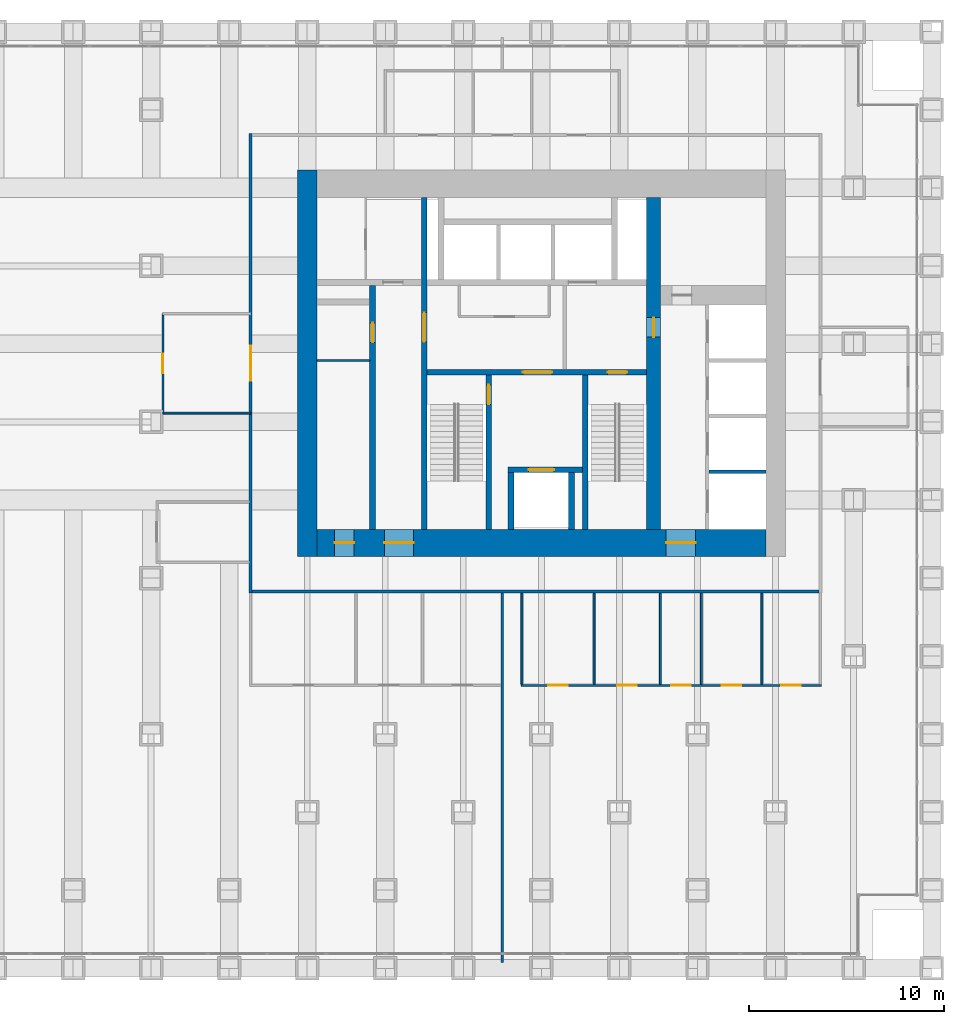
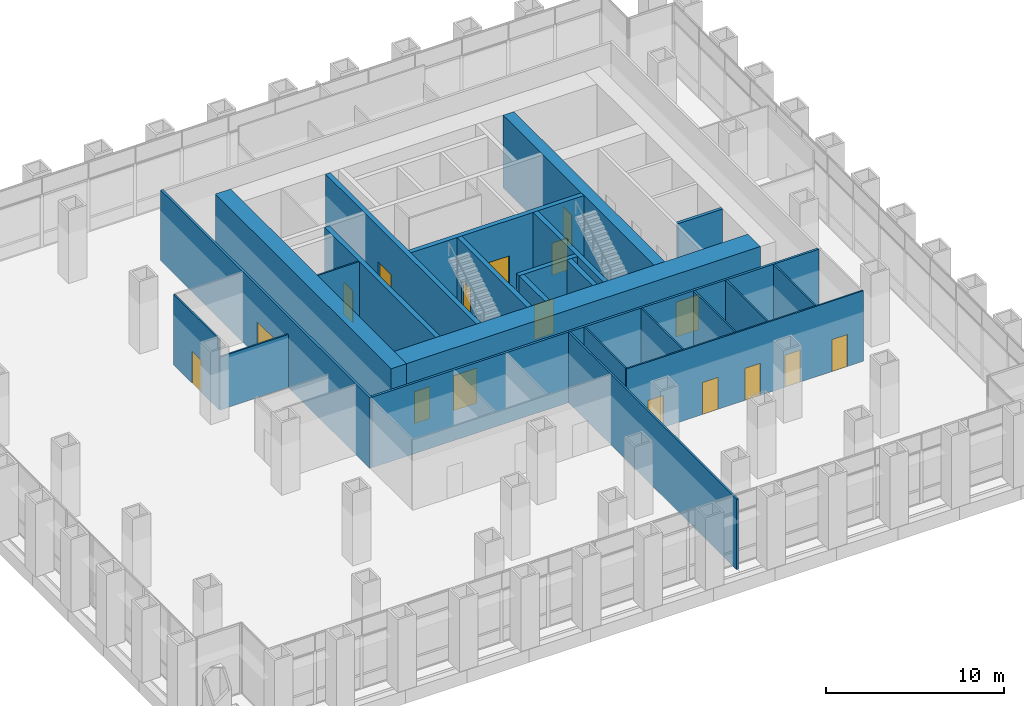
# One storey, part 15 of 18: 24 walls, 17 doors, 17 openings.
"""IFC4 building model written with IfcOpenShell, lengths in metres."""

from ifc_helpers import new_model, si_unit, direction, frame, frame_2d, origin, place, context, subcontext, project, spatial, rectangle, extrude, material, layer, layer_set, type_object, element, fill, save


model = new_model("IFC4")

# Units and contexts
model_context = context("Model", 3, precision=1e-05, world=origin(), true_north=direction((0.0, 1.0)))
body_context = subcontext(model_context, "Body", "Model", "MODEL_VIEW")
ifc_project = project(units=[si_unit("LENGTHUNIT", "METRE"), si_unit("AREAUNIT", "SQUARE_METRE"), si_unit("VOLUMEUNIT", "CUBIC_METRE"), si_unit("PLANEANGLEUNIT", "RADIAN"), si_unit("MASSUNIT", "GRAM", prefix="KILO")], contexts=[model_context])

# Site, building, storey
site_placement = place(None, origin())
site = spatial("IfcSite", under=ifc_project, at=site_placement, CompositionType="ELEMENT")
building_placement = place(site_placement, origin())
building = spatial("IfcBuilding", under=site, at=building_placement, Name="Rimbunsela Tower", CompositionType="ELEMENT")
storey_placement = place(building_placement, frame((0.0, 0.0, 6.0)))
storey = spatial("IfcBuildingStorey", under=building, at=storey_placement, Name="L01", CompositionType="ELEMENT", Elevation=6.0)

# Wall, opening, door
ifc_material_1 = material(Name="Concrete fc' 80 MPa", Category="concrete")
ifc_layer_1 = layer(ifc_material_1, 0.300048828125)
ifc_layer_set_1 = layer_set([ifc_layer_1], Name="Core internal wall 300")
wall_type_1 = type_object("IfcWallType", Name="Core internal wall 300", PredefinedType="SHEAR", material=ifc_layer_set_1)
wall_1_placement = place(storey_placement, frame((24.0, 18.5, -0.14990234375), z_axis=(0.0, 0.0, 1.0), x_axis=(0.0, 1.0, 0.0)))
wall_1 = element("IfcWall", 1, at=wall_1_placement, inside=storey, type_object=wall_type_1, Name="Core wall at stair A", PredefinedType="SHEAR", context=body_context, shape_type="SweptSolid", body=[
    extrude(rectangle(XDim=17.0, YDim=0.300048828125, at=frame_2d((8.5, 0.0))), origin(), (0.0, 0.0, 1.0), 5.0),
])
opening_1_placement = place(wall_1_placement, frame((9.60009765625, 0.0, 0.14990234375)))
opening_1 = element("IfcOpeningElement", 2, at=opening_1_placement, cuts=wall_1, Name="Opening D03", PredefinedType="OPENING", context=body_context, shape_type="SweptSolid", body=[
    extrude(rectangle(XDim=1.5, YDim=2.39990234375, at=frame_2d((0.75, 1.199951171875))), frame((0.0, 0.159912109375, 0.0), z_axis=(0.0, -1.0, 0.0), x_axis=(1.0, 0.0, 0.0)), (0.0, 0.0, 1.0), 0.320068359375),
])
ifc_material_2 = material(Name="Steel door, fire rated", Category="steel")
door_type_1 = type_object("IfcDoorType", Name="Core lobby door 1500", OperationType="DOUBLE_DOOR_DOUBLE_SWING", PredefinedType="DOOR", material=ifc_material_2)
door_1_placement = place(opening_1_placement, origin())
door_1 = element("IfcDoor", 3, at=door_1_placement, inside=storey, type_object=door_type_1, Name="West lobby door", OperationType="DOUBLE_DOOR_DOUBLE_SWING", OverallHeight=2.39990234375, OverallWidth=1.5, PredefinedType="DOOR", context=body_context, shape_type="SweptSolid", body=[
    extrude(rectangle(XDim=1.5, YDim=2.39990234375, at=frame_2d((0.75, 1.199951171875))), frame((0.0, 0.02490234375, 0.0), z_axis=(0.0, -1.0, 0.0), x_axis=(1.0, 0.0, 0.0)), (0.0, 0.0, 1.0), 0.050048828125),
])
fill(opening_1, door_1)

# Wall, openings, doors
wall_2_placement = place(storey_placement, frame((24.14990234375, 26.550048828125, -0.14990234375), z_axis=(0.0, 0.0, 1.0), x_axis=(1.0, 0.0, 0.0)))
wall_2 = element("IfcWall", 4, at=wall_2_placement, inside=storey, type_object=wall_type_1, Name="Core wall lobby south", PredefinedType="SHEAR", context=body_context, shape_type="SweptSolid", body=[
    extrude(rectangle(XDim=11.25, YDim=0.300048828125, at=frame_2d((5.625, 0.0))), origin(), (0.0, 0.0, 1.0), 5.0),
])
opening_2_placement = place(wall_2_placement, frame((9.25, 0.0, 0.14990234375)))
opening_2 = element("IfcOpeningElement", 5, at=opening_2_placement, cuts=wall_2, Name="Opening D01", PredefinedType="OPENING", context=body_context, shape_type="SweptSolid", body=[
    extrude(rectangle(XDim=1.0, YDim=2.199951171875, at=frame_2d((0.5, 1.10009765625))), frame((0.0, 0.159912109375, 0.0), z_axis=(0.0, -1.0, 0.0), x_axis=(1.0, 0.0, 0.0)), (0.0, 0.0, 1.0), 0.320068359375),
])
opening_3_placement = place(wall_2_placement, frame((4.89990234375, 0.0, 0.14990234375)))
opening_3 = element("IfcOpeningElement", 6, at=opening_3_placement, cuts=wall_2, Name="Opening D03", PredefinedType="OPENING", context=body_context, shape_type="SweptSolid", body=[
    extrude(rectangle(XDim=1.5, YDim=2.39990234375, at=frame_2d((0.75, 1.199951171875))), frame((0.0, 0.159912109375, 0.0), z_axis=(0.0, -1.0, 0.0), x_axis=(1.0, 0.0, 0.0)), (0.0, 0.0, 1.0), 0.320068359375),
])
door_2_placement = place(opening_3_placement, origin())
door_2 = element("IfcDoor", 7, at=door_2_placement, inside=storey, type_object=door_type_1, Name="Firefighting lobby door", OperationType="DOUBLE_DOOR_DOUBLE_SWING", OverallHeight=2.39990234375, OverallWidth=1.5, PredefinedType="DOOR", context=body_context, shape_type="SweptSolid", body=[
    extrude(rectangle(XDim=1.5, YDim=2.39990234375, at=frame_2d((0.75, 1.199951171875))), frame((0.0, 0.02490234375, 0.0), z_axis=(0.0, -1.0, 0.0), x_axis=(1.0, 0.0, 0.0)), (0.0, 0.0, 1.0), 0.050048828125),
])
fill(opening_3, door_2)
ifc_material_3 = material(Name="Steel door, fire rated", Category="steel")
door_type_2 = type_object("IfcDoorType", Name="Stair door 1000", OperationType="SINGLE_SWING_RIGHT", PredefinedType="DOOR", material=ifc_material_3)
door_3_placement = place(opening_2_placement, frame((1.0, 0.0, 0.0), z_axis=(0.0, 0.0, 1.0), x_axis=(-1.0, 0.0, 0.0)))
door_3 = element("IfcDoor", 8, at=door_3_placement, inside=storey, type_object=door_type_2, Name="Stair B door", OperationType="SINGLE_SWING_RIGHT", OverallHeight=2.199951171875, OverallWidth=1.0, PredefinedType="DOOR", context=body_context, shape_type="SweptSolid", body=[
    extrude(rectangle(XDim=1.0, YDim=2.199951171875, at=frame_2d((0.5, 1.10009765625))), frame((0.0, 0.02490234375, 0.0), z_axis=(0.0, -1.0, 0.0), x_axis=(1.0, 0.0, 0.0)), (0.0, 0.0, 1.0), 0.050048828125),
])
fill(opening_2, door_3)

# Wall, opening, door
wall_3_placement = place(storey_placement, frame((27.300048828125, 18.5, -0.14990234375), z_axis=(0.0, 0.0, 1.0), x_axis=(0.0, 1.0, 0.0)))
wall_3 = element("IfcWall", 9, at=wall_3_placement, inside=storey, type_object=wall_type_1, Name="Stair A enclosure", PredefinedType="SHEAR", context=body_context, shape_type="SweptSolid", body=[
    extrude(rectangle(XDim=7.89990234375, YDim=0.300048828125, at=frame_2d((3.949951171875, 0.0))), origin(), (0.0, 0.0, 1.0), 5.0),
])
opening_4_placement = place(wall_3_placement, frame((6.39990234375, 0.0, 0.14990234375)))
opening_4 = element("IfcOpeningElement", 10, at=opening_4_placement, cuts=wall_3, Name="Opening D01", PredefinedType="OPENING", context=body_context, shape_type="SweptSolid", body=[
    extrude(rectangle(XDim=1.0, YDim=2.199951171875, at=frame_2d((0.5, 1.10009765625))), frame((0.0, 0.159912109375, 0.0), z_axis=(0.0, -1.0, 0.0), x_axis=(1.0, 0.0, 0.0)), (0.0, 0.0, 1.0), 0.320068359375),
])
door_4_placement = place(opening_4_placement, origin())
door_4 = element("IfcDoor", 11, at=door_4_placement, inside=storey, type_object=door_type_2, Name="Stair A door", OperationType="SINGLE_SWING_RIGHT", OverallHeight=2.199951171875, OverallWidth=1.0, PredefinedType="DOOR", context=body_context, shape_type="SweptSolid", body=[
    extrude(rectangle(XDim=1.0, YDim=2.199951171875, at=frame_2d((0.5, 1.10009765625))), frame((0.0, 0.02490234375, 0.0), z_axis=(0.0, -1.0, 0.0), x_axis=(1.0, 0.0, 0.0)), (0.0, 0.0, 1.0), 0.050048828125),
])
fill(opening_4, door_4)

# Walls
wall_4_placement = place(storey_placement, frame((32.25, 18.5, -0.14990234375), z_axis=(0.0, 0.0, 1.0), x_axis=(0.0, 1.0, 0.0)))
element("IfcWall", 12, at=wall_4_placement, inside=storey, type_object=wall_type_1, Name="Stair B enclosure", PredefinedType="SHEAR", context=body_context, shape_type="SweptSolid", body=[
    extrude(rectangle(XDim=7.89990234375, YDim=0.300048828125, at=frame_2d((3.949951171875, 0.0))), origin(), (0.0, 0.0, 1.0), 5.0),
])
for number, where, z_axis, x_axis, name in (
    (13, (28.449951171875, 18.5, -0.14990234375), (0.0, 0.0, 1.0), (0.0, 1.0, 0.0), "Firefighting lift shaft west"),
    (14, (31.550048828125, 18.5, -0.14990234375), (0.0, 0.0, 1.0), (0.0, 1.0, 0.0), "Firefighting lift shaft east"),
):
    element("IfcWall", number, at=place(storey_placement, frame(where, z_axis=z_axis, x_axis=x_axis)), inside=storey, type_object=wall_type_1, Name=name, PredefinedType="SHEAR", context=body_context, shape_type="SweptSolid", body=[
        extrude(rectangle(XDim=2.89990234375, YDim=0.300048828125, at=frame_2d((1.449951171875, 0.0))), origin(), (0.0, 0.0, 1.0), 5.0),
    ])

# Wall, opening, door
wall_5_placement = place(storey_placement, frame((28.300048828125, 21.550048828125, -0.14990234375), z_axis=(0.0, 0.0, 1.0), x_axis=(1.0, 0.0, 0.0)))
wall_5 = element("IfcWall", 15, at=wall_5_placement, inside=storey, type_object=wall_type_1, Name="Firefighting lift shaft front", PredefinedType="SHEAR", context=body_context, shape_type="SweptSolid", body=[
    extrude(rectangle(XDim=3.800048828125, YDim=0.300048828125, at=frame_2d((1.89990234375, 0.0))), origin(), (0.0, 0.0, 1.0), 5.0),
])
opening_5_placement = place(wall_5_placement, frame((1.050048828125, 0.0, 0.14990234375)))
opening_5 = element("IfcOpeningElement", 16, at=opening_5_placement, cuts=wall_5, Name="Opening LD2", PredefinedType="OPENING", context=body_context, shape_type="SweptSolid", body=[
    extrude(rectangle(XDim=1.300048828125, YDim=2.39990234375, at=frame_2d((0.64990234375, 1.199951171875))), frame((0.0, 0.159912109375, 0.0), z_axis=(0.0, -1.0, 0.0), x_axis=(1.0, 0.0, 0.0)), (0.0, 0.0, 1.0), 0.320068359375),
])
ifc_material_4 = material(Name="Steel door, fire rated", Category="steel")
door_type_3 = type_object("IfcDoorType", Name="Lift landing door 1300", OperationType="DOUBLE_DOOR_SLIDING", PredefinedType="DOOR", material=ifc_material_4)
door_5_placement = place(opening_5_placement, origin())
door_5 = element("IfcDoor", 17, at=door_5_placement, inside=storey, type_object=door_type_3, Name="Lift landing door FL1", OperationType="DOUBLE_DOOR_SLIDING", OverallHeight=2.39990234375, OverallWidth=1.300048828125, PredefinedType="DOOR", context=body_context, shape_type="SweptSolid", body=[
    extrude(rectangle(XDim=1.300048828125, YDim=2.39990234375, at=frame_2d((0.64990234375, 1.199951171875))), frame((0.0, 0.02490234375, 0.0), z_axis=(0.0, -1.0, 0.0), x_axis=(1.0, 0.0, 0.0)), (0.0, 0.0, 1.0), 0.050048828125),
])
fill(opening_5, door_5)

wall_6_placement = place(storey_placement, frame((21.35009765625, 18.5, -0.14990234375), z_axis=(0.0, 0.0, 1.0), x_axis=(0.0, 1.0, 0.0)))
wall_6 = element("IfcWall", 18, at=wall_6_placement, inside=storey, type_object=wall_type_1, Name="Lift shaft front west", PredefinedType="SHEAR", context=body_context, shape_type="SweptSolid", body=[
    extrude(rectangle(XDim=12.5, YDim=0.300048828125, at=frame_2d((6.25, 0.0))), origin(), (0.0, 0.0, 1.0), 5.0),
])
opening_6_placement = place(wall_6_placement, frame((9.574951171875, 0.0, 0.14990234375)))
opening_6 = element("IfcOpeningElement", 19, at=opening_6_placement, cuts=wall_6, Name="Opening D19", PredefinedType="OPENING", context=body_context, shape_type="SweptSolid", body=[
    extrude(rectangle(XDim=1.0, YDim=2.199951171875, at=frame_2d((0.5, 1.10009765625))), frame((0.0, 0.159912109375, 0.0), z_axis=(0.0, -1.0, 0.0), x_axis=(1.0, 0.0, 0.0)), (0.0, 0.0, 1.0), 0.320068359375),
])
ifc_material_5 = material(Name="Steel door, fire rated", Category="steel")
door_type_4 = type_object("IfcDoorType", Name="Service door 1000 fire rated", OperationType="SINGLE_SWING_LEFT", PredefinedType="DOOR", material=ifc_material_5)
door_6_placement = place(opening_6_placement, origin())
door_6 = element("IfcDoor", 20, at=door_6_placement, inside=storey, type_object=door_type_4, Name="Tenant store door", OperationType="SINGLE_SWING_LEFT", OverallHeight=2.199951171875, OverallWidth=1.0, PredefinedType="DOOR", context=body_context, shape_type="SweptSolid", body=[
    extrude(rectangle(XDim=1.0, YDim=2.199951171875, at=frame_2d((0.5, 1.10009765625))), frame((0.0, 0.02490234375, 0.0), z_axis=(0.0, -1.0, 0.0), x_axis=(1.0, 0.0, 0.0)), (0.0, 0.0, 1.0), 0.050048828125),
])
fill(opening_6, door_6)

# Walls
ifc_material_6 = material(Name="Concrete blockwork", Category="masonry")
ifc_layer_2 = layer(ifc_material_6, 0.10009765625)
ifc_layer_set_2 = layer_set([ifc_layer_2], Name="Core room partition 100")
wall_type_2 = type_object("IfcWallType", Name="Core room partition 100", PredefinedType="PARTITIONING", material=ifc_layer_set_2)
wall_7_placement = place(storey_placement, frame((18.5, 27.14990234375, 0.0), z_axis=(0.0, 0.0, 1.0), x_axis=(1.0, 0.0, 0.0)))
element("IfcWall", 21, at=wall_7_placement, inside=storey, type_object=wall_type_2, Name="Tenant store wall", PredefinedType="PARTITIONING", context=body_context, shape_type="SweptSolid", body=[
    extrude(rectangle(XDim=2.699951171875, YDim=0.10009765625, at=frame_2d((1.35009765625, 0.0))), origin(), (0.0, 0.0, 1.0), 4.85009765625),
])
ifc_material_7 = material(Name="Concrete fc' 80 MPa", Category="concrete")
ifc_layer_3 = layer(ifc_material_7, 1.0)
ifc_layer_set_3 = layer_set([ifc_layer_3], Name="Core wall 1000")
wall_type_3 = type_object("IfcWallType", Name="Core wall 1000", PredefinedType="SHEAR", material=ifc_layer_set_3)
wall_8_placement = place(storey_placement, frame((18.0, 17.10009765625, -0.14990234375), z_axis=(0.0, 0.0, 1.0), x_axis=(0.0, 1.0, 0.0)))
element("IfcWall", 22, at=wall_8_placement, inside=storey, type_object=wall_type_3, Name="Core wall west", PredefinedType="SHEAR", context=body_context, shape_type="SweptSolid", body=[
    extrude(rectangle(XDim=19.7998046875, YDim=1.0, at=frame_2d((9.89990234375, 0.0))), origin(), (0.0, 0.0, 1.0), 5.0),
])

# Wall, openings, doors
ifc_material_8 = material(Name="Concrete fc' 80 MPa", Category="concrete")
ifc_layer_4 = layer(ifc_material_8, 1.39990234375)
ifc_layer_set_4 = layer_set([ifc_layer_4], Name="Core wall 1400")
wall_type_4 = type_object("IfcWallType", Name="Core wall 1400", PredefinedType="SHEAR", material=ifc_layer_set_4)
wall_9_placement = place(storey_placement, frame((18.5, 17.800048828125, -0.14990234375), z_axis=(0.0, 0.0, 1.0), x_axis=(1.0, 0.0, 0.0)))
wall_9 = element("IfcWall", 23, at=wall_9_placement, inside=storey, type_object=wall_type_4, Name="Core wall south", PredefinedType="SHEAR", context=body_context, shape_type="SweptSolid", body=[
    extrude(rectangle(XDim=23.0, YDim=1.39990234375, at=frame_2d((11.5, 0.0))), origin(), (0.0, 0.0, 1.0), 5.0),
])
opening_7_placement = place(wall_9_placement, frame((3.449951171875, 0.0, 0.14990234375)))
opening_7 = element("IfcOpeningElement", 24, at=opening_7_placement, cuts=wall_9, Name="Opening D03", PredefinedType="OPENING", context=body_context, shape_type="SweptSolid", body=[
    extrude(rectangle(XDim=1.5, YDim=2.39990234375, at=frame_2d((0.75, 1.199951171875))), frame((0.0, 0.7099609375, 0.0), z_axis=(0.0, -1.0, 0.0), x_axis=(1.0, 0.0, 0.0)), (0.0, 0.0, 1.0), 1.419921875),
])
opening_8_placement = place(wall_9_placement, frame((17.89990234375, 0.0, 0.14990234375)))
opening_8 = element("IfcOpeningElement", 25, at=opening_8_placement, cuts=wall_9, Name="Opening D03", PredefinedType="OPENING", context=body_context, shape_type="SweptSolid", body=[
    extrude(rectangle(XDim=1.5, YDim=2.39990234375, at=frame_2d((0.75, 1.199951171875))), frame((0.0, 0.7099609375, 0.0), z_axis=(0.0, -1.0, 0.0), x_axis=(1.0, 0.0, 0.0)), (0.0, 0.0, 1.0), 1.419921875),
])
opening_9_placement = place(wall_9_placement, frame((0.89990234375, 0.0, 0.14990234375)))
opening_9 = element("IfcOpeningElement", 26, at=opening_9_placement, cuts=wall_9, Name="Opening D19", PredefinedType="OPENING", context=body_context, shape_type="SweptSolid", body=[
    extrude(rectangle(XDim=1.0, YDim=2.199951171875, at=frame_2d((0.5, 1.10009765625))), frame((0.0, 0.7099609375, 0.0), z_axis=(0.0, -1.0, 0.0), x_axis=(1.0, 0.0, 0.0)), (0.0, 0.0, 1.0), 1.419921875),
])
door_7_placement = place(opening_7_placement, origin())
door_7 = element("IfcDoor", 27, at=door_7_placement, inside=storey, type_object=door_type_1, Name="Core door south", OperationType="DOUBLE_DOOR_DOUBLE_SWING", OverallHeight=2.39990234375, OverallWidth=1.5, PredefinedType="DOOR", context=body_context, shape_type="SweptSolid", body=[
    extrude(rectangle(XDim=1.5, YDim=2.39990234375, at=frame_2d((0.75, 1.199951171875))), frame((0.0, 0.02490234375, 0.0), z_axis=(0.0, -1.0, 0.0), x_axis=(1.0, 0.0, 0.0)), (0.0, 0.0, 1.0), 0.050048828125),
])
fill(opening_7, door_7)
door_8_placement = place(opening_8_placement, origin())
door_8 = element("IfcDoor", 28, at=door_8_placement, inside=storey, type_object=door_type_1, Name="Core door south-east", OperationType="DOUBLE_DOOR_DOUBLE_SWING", OverallHeight=2.39990234375, OverallWidth=1.5, PredefinedType="DOOR", context=body_context, shape_type="SweptSolid", body=[
    extrude(rectangle(XDim=1.5, YDim=2.39990234375, at=frame_2d((0.75, 1.199951171875))), frame((0.0, 0.02490234375, 0.0), z_axis=(0.0, -1.0, 0.0), x_axis=(1.0, 0.0, 0.0)), (0.0, 0.0, 1.0), 0.050048828125),
])
fill(opening_8, door_8)
door_9_placement = place(opening_9_placement, origin())
door_9 = element("IfcDoor", 29, at=door_9_placement, inside=storey, type_object=door_type_4, Name="Electrical room door", OperationType="SINGLE_SWING_LEFT", OverallHeight=2.199951171875, OverallWidth=1.0, PredefinedType="DOOR", context=body_context, shape_type="SweptSolid", body=[
    extrude(rectangle(XDim=1.0, YDim=2.199951171875, at=frame_2d((0.5, 1.10009765625))), frame((0.0, 0.02490234375, 0.0), z_axis=(0.0, -1.0, 0.0), x_axis=(1.0, 0.0, 0.0)), (0.0, 0.0, 1.0), 0.050048828125),
])
fill(opening_9, door_9)

# Wall, opening, door
ifc_material_9 = material(Name="Concrete fc' 80 MPa", Category="concrete")
ifc_layer_5 = layer(ifc_material_9, 0.699951171875)
ifc_layer_set_5 = layer_set([ifc_layer_5], Name="Core wall 700 east")
wall_type_5 = type_object("IfcWallType", Name="Core wall 700 east", PredefinedType="SHEAR", material=ifc_layer_set_5)
wall_10_placement = place(storey_placement, frame((35.75, 18.5, -0.14990234375), z_axis=(0.0, 0.0, 1.0), x_axis=(0.0, 1.0, 0.0)))
wall_10 = element("IfcWall", 30, at=wall_10_placement, inside=storey, type_object=wall_type_5, Name="Core wall low-rise bank", PredefinedType="SHEAR", context=body_context, shape_type="SweptSolid", body=[
    extrude(rectangle(XDim=17.0, YDim=0.699951171875, at=frame_2d((8.5, 0.0))), origin(), (0.0, 0.0, 1.0), 5.0),
])
opening_10_placement = place(wall_10_placement, frame((9.85009765625, 0.0, 0.14990234375)))
opening_10 = element("IfcOpeningElement", 31, at=opening_10_placement, cuts=wall_10, Name="Opening D01", PredefinedType="OPENING", context=body_context, shape_type="SweptSolid", body=[
    extrude(rectangle(XDim=1.0, YDim=2.199951171875, at=frame_2d((0.5, 1.10009765625))), frame((0.0, 0.35986328125, 0.0), z_axis=(0.0, -1.0, 0.0), x_axis=(1.0, 0.0, 0.0)), (0.0, 0.0, 1.0), 0.719970703125),
])
door_10_placement = place(opening_10_placement, origin())
door_10 = element("IfcDoor", 32, at=door_10_placement, inside=storey, type_object=door_type_2, Name="Firefighting lobby 2 door", OperationType="SINGLE_SWING_RIGHT", OverallHeight=2.199951171875, OverallWidth=1.0, PredefinedType="DOOR", context=body_context, shape_type="SweptSolid", body=[
    extrude(rectangle(XDim=1.0, YDim=2.199951171875, at=frame_2d((0.5, 1.10009765625))), frame((0.0, 0.02490234375, 0.0), z_axis=(0.0, -1.0, 0.0), x_axis=(1.0, 0.0, 0.0)), (0.0, 0.0, 1.0), 0.050048828125),
])
fill(opening_10, door_10)

# Wall
ifc_material_10 = material(Name="Concrete blockwork", Category="masonry")
ifc_layer_6 = layer(ifc_material_10, 0.199951171875)
ifc_layer_set_6 = layer_set([ifc_layer_6], Name="Lift shaft wall 200")
wall_type_6 = type_object("IfcWallType", Name="Lift shaft wall 200", PredefinedType="SOLIDWALL", material=ifc_layer_set_6)
wall_11_placement = place(storey_placement, frame((38.60009765625, 21.449951171875, -0.14990234375), z_axis=(0.0, 0.0, 1.0), x_axis=(1.0, 0.0, 0.0)))
element("IfcWall", 33, at=wall_11_placement, inside=storey, type_object=wall_type_6, Name="Lift shaft separation", PredefinedType="SOLIDWALL", context=body_context, shape_type="SweptSolid", body=[
    extrude(rectangle(XDim=2.89990234375, YDim=0.199951171875, at=frame_2d((1.449951171875, 0.0))), origin(), (0.0, 0.0, 1.0), 5.0),
])

# Wall, openings, doors
ifc_material_11 = material(Name="Gypsum board on steel studs", Category="steel")
ifc_layer_7 = layer(ifc_material_11, 0.10009765625)
ifc_layer_set_7 = layer_set([ifc_layer_7], Name="Office partition 100")
wall_type_7 = type_object("IfcWallType", Name="Office partition 100", PredefinedType="PARTITIONING", material=ifc_layer_set_7)
wall_12_placement = place(storey_placement, frame((28.948974609375, 10.5, 0.0), z_axis=(0.0, 0.0, 1.0), x_axis=(1.0, 0.0, 0.0)))
wall_12 = element("IfcWall", 34, at=wall_12_placement, inside=storey, type_object=wall_type_7, Name="Office partition", PredefinedType="PARTITIONING", context=body_context, shape_type="SweptSolid", body=[
    extrude(rectangle(XDim=15.401123046875, YDim=0.10009765625, at=frame_2d((7.70068359375, 0.0))), origin(), (0.0, 0.0, 1.0), 4.85009765625),
])
opening_11_placement = place(wall_12_placement, frame((1.39990234375, 0.0, 0.0)))
opening_11 = element("IfcOpeningElement", 35, at=opening_11_placement, cuts=wall_12, Name="Opening D17", PredefinedType="OPENING", context=body_context, shape_type="SweptSolid", body=[
    extrude(rectangle(XDim=1.0, YDim=2.199951171875, at=frame_2d((0.5, 1.10009765625))), frame((0.0, 0.06005859375, 0.0), z_axis=(0.0, -1.0, 0.0), x_axis=(1.0, 0.0, 0.0)), (0.0, 0.0, 1.0), 0.1201171875),
])
opening_12_placement = place(wall_12_placement, frame((4.949951171875, 0.0, 0.0)))
opening_12 = element("IfcOpeningElement", 36, at=opening_12_placement, cuts=wall_12, Name="Opening D16", PredefinedType="OPENING", context=body_context, shape_type="SweptSolid", body=[
    extrude(rectangle(XDim=1.0, YDim=2.199951171875, at=frame_2d((0.5, 1.10009765625))), frame((0.0, 0.06005859375, 0.0), z_axis=(0.0, -1.0, 0.0), x_axis=(1.0, 0.0, 0.0)), (0.0, 0.0, 1.0), 0.1201171875),
])
opening_13_placement = place(wall_12_placement, frame((7.699951171875, 0.0, 0.0)))
opening_13 = element("IfcOpeningElement", 37, at=opening_13_placement, cuts=wall_12, Name="Opening D16", PredefinedType="OPENING", context=body_context, shape_type="SweptSolid", body=[
    extrude(rectangle(XDim=1.0, YDim=2.199951171875, at=frame_2d((0.5, 1.10009765625))), frame((0.0, 0.06005859375, 0.0), z_axis=(0.0, -1.0, 0.0), x_axis=(1.0, 0.0, 0.0)), (0.0, 0.0, 1.0), 0.1201171875),
])
opening_14_placement = place(wall_12_placement, frame((10.300048828125, 0.0, 0.0)))
opening_14 = element("IfcOpeningElement", 38, at=opening_14_placement, cuts=wall_12, Name="Opening D16", PredefinedType="OPENING", context=body_context, shape_type="SweptSolid", body=[
    extrude(rectangle(XDim=1.0, YDim=2.199951171875, at=frame_2d((0.5, 1.10009765625))), frame((0.0, 0.06005859375, 0.0), z_axis=(0.0, -1.0, 0.0), x_axis=(1.0, 0.0, 0.0)), (0.0, 0.0, 1.0), 0.1201171875),
])
opening_15_placement = place(wall_12_placement, frame((13.3505859375, 0.0, 0.0)))
opening_15 = element("IfcOpeningElement", 39, at=opening_15_placement, cuts=wall_12, Name="Opening D16", PredefinedType="OPENING", context=body_context, shape_type="SweptSolid", body=[
    extrude(rectangle(XDim=1.0, YDim=2.199951171875, at=frame_2d((0.5, 1.10009765625))), frame((0.0, 0.06005859375, 0.0), z_axis=(0.0, -1.0, 0.0), x_axis=(1.0, 0.0, 0.0)), (0.0, 0.0, 1.0), 0.1201171875),
])
ifc_material_12 = material(Name="Glazed aluminium door", Category="aluminium")
door_type_5 = type_object("IfcDoorType", Name="Meeting room door 1000 glazed", OperationType="SINGLE_SWING_RIGHT", PredefinedType="DOOR", material=ifc_material_12)
door_11_placement = place(opening_11_placement, origin())
door_11 = element("IfcDoor", 40, at=door_11_placement, inside=storey, type_object=door_type_5, Name="Meeting room door", OperationType="SINGLE_SWING_RIGHT", OverallHeight=2.199951171875, OverallWidth=1.0, PredefinedType="DOOR", context=body_context, shape_type="SweptSolid", body=[
    extrude(rectangle(XDim=1.0, YDim=2.199951171875, at=frame_2d((0.5, 1.10009765625))), frame((0.0, 0.02490234375, 0.0), z_axis=(0.0, -1.0, 0.0), x_axis=(1.0, 0.0, 0.0)), (0.0, 0.0, 1.0), 0.050048828125),
])
fill(opening_11, door_11)
ifc_material_13 = material(Name="Timber door", Category="wood")
door_type_6 = type_object("IfcDoorType", Name="Office door 1000", OperationType="SINGLE_SWING_LEFT", PredefinedType="DOOR", material=ifc_material_13)
door_12_placement = place(opening_12_placement, origin())
door_12 = element("IfcDoor", 41, at=door_12_placement, inside=storey, type_object=door_type_6, Name="Office door", OperationType="SINGLE_SWING_LEFT", OverallHeight=2.199951171875, OverallWidth=1.0, PredefinedType="DOOR", context=body_context, shape_type="SweptSolid", body=[
    extrude(rectangle(XDim=1.0, YDim=2.199951171875, at=frame_2d((0.5, 1.10009765625))), frame((0.0, 0.02490234375, 0.0), z_axis=(0.0, -1.0, 0.0), x_axis=(1.0, 0.0, 0.0)), (0.0, 0.0, 1.0), 0.050048828125),
])
fill(opening_12, door_12)
door_13_placement = place(opening_13_placement, origin())
door_13 = element("IfcDoor", 42, at=door_13_placement, inside=storey, type_object=door_type_6, Name="Office door", OperationType="SINGLE_SWING_LEFT", OverallHeight=2.199951171875, OverallWidth=1.0, PredefinedType="DOOR", context=body_context, shape_type="SweptSolid", body=[
    extrude(rectangle(XDim=1.0, YDim=2.199951171875, at=frame_2d((0.5, 1.10009765625))), frame((0.0, 0.02490234375, 0.0), z_axis=(0.0, -1.0, 0.0), x_axis=(1.0, 0.0, 0.0)), (0.0, 0.0, 1.0), 0.050048828125),
])
fill(opening_13, door_13)
door_14_placement = place(opening_14_placement, origin())
door_14 = element("IfcDoor", 43, at=door_14_placement, inside=storey, type_object=door_type_6, Name="Office door", OperationType="SINGLE_SWING_LEFT", OverallHeight=2.199951171875, OverallWidth=1.0, PredefinedType="DOOR", context=body_context, shape_type="SweptSolid", body=[
    extrude(rectangle(XDim=1.0, YDim=2.199951171875, at=frame_2d((0.5, 1.10009765625))), frame((0.0, 0.02490234375, 0.0), z_axis=(0.0, -1.0, 0.0), x_axis=(1.0, 0.0, 0.0)), (0.0, 0.0, 1.0), 0.050048828125),
])
fill(opening_14, door_14)
door_15_placement = place(opening_15_placement, origin())
door_15 = element("IfcDoor", 44, at=door_15_placement, inside=storey, type_object=door_type_6, Name="Office door", OperationType="SINGLE_SWING_LEFT", OverallHeight=2.199951171875, OverallWidth=1.0, PredefinedType="DOOR", context=body_context, shape_type="SweptSolid", body=[
    extrude(rectangle(XDim=1.0, YDim=2.199951171875, at=frame_2d((0.5, 1.10009765625))), frame((0.0, 0.02490234375, 0.0), z_axis=(0.0, -1.0, 0.0), x_axis=(1.0, 0.0, 0.0)), (0.0, 0.0, 1.0), 0.050048828125),
])
fill(opening_15, door_15)

# Walls
for number, where, z_axis, x_axis, name in (
    (45, (28.9990234375, 10.550048828125, 0.0), (0.0, 0.0, 1.0), (0.0, 1.0, 0.0), "Office partition"),
    (46, (32.698974609375, 10.550048828125, 0.0), (0.0, 0.0, 1.0), (0.0, 1.0, 0.0), "Office partition"),
    (47, (36.09912109375, 10.550048828125, 0.0), (0.0, 0.0, 1.0), (0.0, 1.0, 0.0), "Office partition"),
    (48, (38.198974609375, 10.550048828125, 0.0), (0.0, 0.0, 1.0), (0.0, 1.0, 0.0), "Office partition"),
    (49, (41.299072265625, 10.550048828125, 0.0), (0.0, 0.0, 1.0), (0.0, 1.0, 0.0), "Office partition"),
):
    element("IfcWall", number, at=place(storey_placement, frame(where, z_axis=z_axis, x_axis=x_axis)), inside=storey, type_object=wall_type_7, Name=name, PredefinedType="PARTITIONING", context=body_context, shape_type="SweptSolid", body=[
        extrude(rectangle(XDim=4.675048828125, YDim=0.10009765625, at=frame_2d((2.33740234375, 0.0))), origin(), (0.0, 0.0, 1.0), 4.85009765625),
    ])

# Wall, opening, door
wall_13_placement = place(storey_placement, frame((10.60009765625, 29.550048828125, 0.0), z_axis=(0.0, 0.0, 1.0), x_axis=(0.0, -1.0, 0.0)))
wall_13 = element("IfcWall", 50, at=wall_13_placement, inside=storey, type_object=wall_type_7, Name="Office partition", PredefinedType="PARTITIONING", context=body_context, shape_type="SweptSolid", body=[
    extrude(rectangle(XDim=5.10009765625, YDim=0.10009765625, at=frame_2d((2.550048828125, 0.0))), origin(), (0.0, 0.0, 1.0), 4.85009765625),
])
opening_16_placement = place(wall_13_placement, frame((2.050048828125, 0.0, 0.0)))
opening_16 = element("IfcOpeningElement", 51, at=opening_16_placement, cuts=wall_13, Name="Opening D17", PredefinedType="OPENING", context=body_context, shape_type="SweptSolid", body=[
    extrude(rectangle(XDim=1.0, YDim=2.199951171875, at=frame_2d((0.5, 1.10009765625))), frame((0.0, 0.06005859375, 0.0), z_axis=(0.0, -1.0, 0.0), x_axis=(1.0, 0.0, 0.0)), (0.0, 0.0, 1.0), 0.1201171875),
])
door_16_placement = place(opening_16_placement, origin())
door_16 = element("IfcDoor", 52, at=door_16_placement, inside=storey, type_object=door_type_5, Name="Reception door", OperationType="SINGLE_SWING_RIGHT", OverallHeight=2.199951171875, OverallWidth=1.0, PredefinedType="DOOR", context=body_context, shape_type="SweptSolid", body=[
    extrude(rectangle(XDim=1.0, YDim=2.199951171875, at=frame_2d((0.5, 1.10009765625))), frame((0.0, 0.02490234375, 0.0), z_axis=(0.0, -1.0, 0.0), x_axis=(1.0, 0.0, 0.0)), (0.0, 0.0, 1.0), 0.050048828125),
])
fill(opening_16, door_16)

# Wall
wall_14_placement = place(storey_placement, frame((10.60009765625, 24.449951171875, 0.0), z_axis=(0.0, 0.0, 1.0), x_axis=(1.0, 0.0, 0.0)))
element("IfcWall", 53, at=wall_14_placement, inside=storey, type_object=wall_type_7, Name="Office partition", PredefinedType="PARTITIONING", context=body_context, shape_type="SweptSolid", body=[
    extrude(rectangle(XDim=4.5, YDim=0.10009765625, at=frame_2d((2.25, 0.0))), origin(), (0.0, 0.0, 1.0), 3.64990234375),
])

# Wall, opening, door
ifc_material_14 = material(Name="Fire-rated gypsum board on steel studs, EI 60", Category="steel")
ifc_layer_8 = layer(ifc_material_14, 0.14990234375)
ifc_layer_set_8 = layer_set([ifc_layer_8], Name="Rated corridor wall 150")
wall_type_8 = type_object("IfcWallType", Name="Rated corridor wall 150", PredefinedType="PARTITIONING", material=ifc_layer_set_8)
wall_15_placement = place(storey_placement, frame((15.10009765625, 15.22509765625, 0.0), z_axis=(0.0, 0.0, 1.0), x_axis=(0.0, 1.0, 0.0)))
wall_15 = element("IfcWall", 54, at=wall_15_placement, inside=storey, type_object=wall_type_8, Name="Corridor wall west", PredefinedType="PARTITIONING", context=body_context, shape_type="SweptSolid", body=[
    extrude(rectangle(XDim=23.5498046875, YDim=0.14990234375, at=frame_2d((11.77490234375, 0.0))), origin(), (0.0, 0.0, 1.0), 4.85009765625),
])
opening_17_placement = place(wall_15_placement, frame((10.875, 0.0, 0.0)))
opening_17 = element("IfcOpeningElement", 55, at=opening_17_placement, cuts=wall_15, Name="Opening D02", PredefinedType="OPENING", context=body_context, shape_type="SweptSolid", body=[
    extrude(rectangle(XDim=1.800048828125, YDim=2.39990234375, at=frame_2d((0.89990234375, 1.199951171875))), frame((0.0, 0.0849609375, 0.0), z_axis=(0.0, -1.0, 0.0), x_axis=(1.0, 0.0, 0.0)), (0.0, 0.0, 1.0), 0.169921875),
])
ifc_material_15 = material(Name="Timber door", Category="wood")
door_type_7 = type_object("IfcDoorType", Name="Corridor door 1800", OperationType="DOUBLE_DOOR_DOUBLE_SWING", PredefinedType="DOOR", material=ifc_material_15)
door_17_placement = place(opening_17_placement, origin())
door_17 = element("IfcDoor", 56, at=door_17_placement, inside=storey, type_object=door_type_7, Name="Business centre door", OperationType="DOUBLE_DOOR_DOUBLE_SWING", OverallHeight=2.39990234375, OverallWidth=1.800048828125, PredefinedType="DOOR", context=body_context, shape_type="SweptSolid", body=[
    extrude(rectangle(XDim=1.800048828125, YDim=2.39990234375, at=frame_2d((0.89990234375, 1.199951171875))), frame((0.0, 0.02490234375, 0.0), z_axis=(0.0, -1.0, 0.0), x_axis=(1.0, 0.0, 0.0)), (0.0, 0.0, 1.0), 0.050048828125),
])
fill(opening_17, door_17)

# Walls
wall_16_placement = place(storey_placement, frame((15.175048828125, 15.300048828125, 0.0), z_axis=(0.0, 0.0, 1.0), x_axis=(1.0, 0.0, 0.0)))
element("IfcWall", 57, at=wall_16_placement, inside=storey, type_object=wall_type_8, Name="Corridor wall south", PredefinedType="PARTITIONING", context=body_context, shape_type="SweptSolid", body=[
    extrude(rectangle(XDim=29.050048828125, YDim=0.14990234375, at=frame_2d((14.52490234375, 0.0))), origin(), (0.0, 0.0, 1.0), 4.85009765625),
])
ifc_material_16 = material(Name="Gypsum board on steel studs", Category="steel")
ifc_layer_9 = layer(ifc_material_16, 0.1201171875)
ifc_layer_set_9 = layer_set([ifc_layer_9], Name="Tenancy partition 120")
wall_type_9 = type_object("IfcWallType", Name="Tenancy partition 120", PredefinedType="PARTITIONING", material=ifc_layer_set_9)
wall_17_placement = place(storey_placement, frame((28.0, -3.699951171875, 0.0), z_axis=(0.0, 0.0, 1.0), x_axis=(0.0, 1.0, 0.0)))
element("IfcWall", 58, at=wall_17_placement, inside=storey, type_object=wall_type_9, Name="Tenancy partition south", PredefinedType="PARTITIONING", context=body_context, shape_type="SweptSolid", body=[
    extrude(rectangle(XDim=18.925048828125, YDim=0.1201171875, at=frame_2d((9.46240234375, 0.0))), origin(), (0.0, 0.0, 1.0), 4.85009765625),
])

save(model, "model.ifc")
